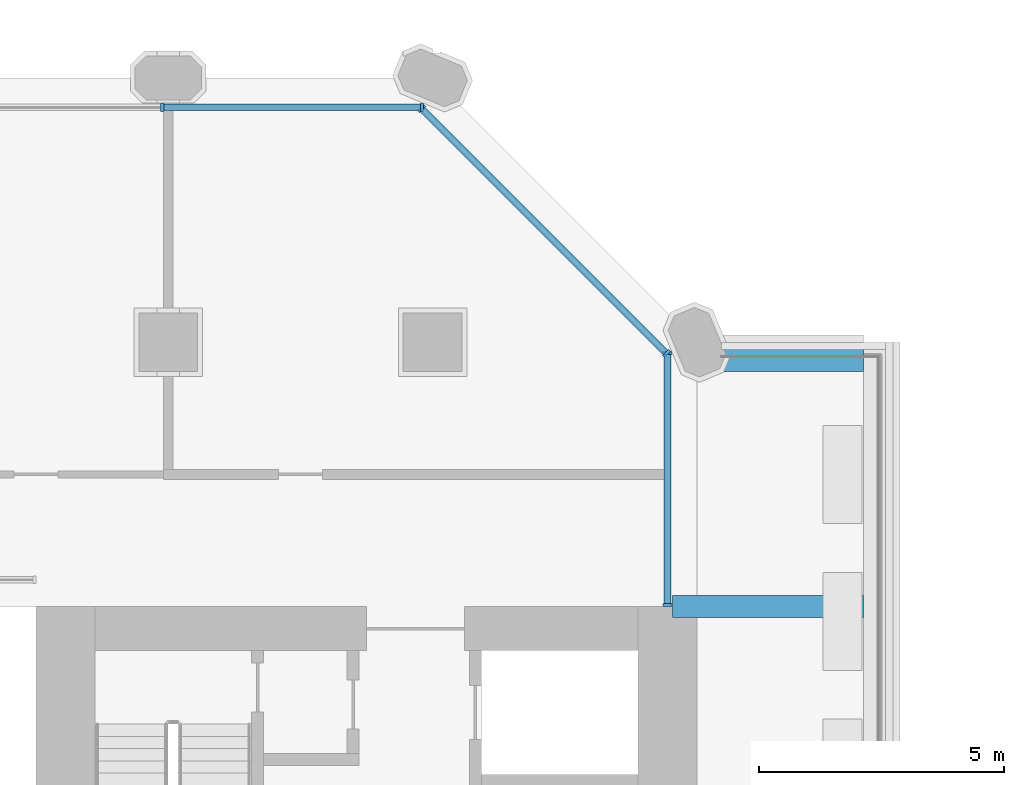
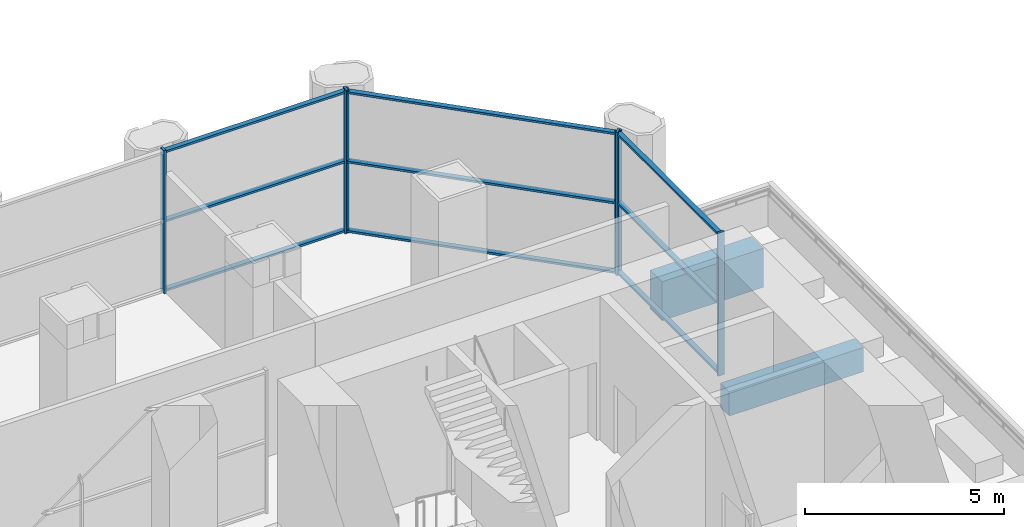
# One storey, part 9 of 42: 15 members, 2 beams, 3 elements without a shape of their own.
"""IFC4 building model written with IfcOpenShell, lengths in metres."""

from ifc_helpers import new_model, si_unit, direction, frame, origin, origin_2d, place, context, subcontext, project, spatial, rectangle, extrude, material, material_profile, profile_set, type_object, element, aggregate, save


model = new_model("IFC4")

# Units and contexts
model_context = context("Model", 3, precision=1e-05, world=origin(), true_north=direction((0.0, 1.0)))
body_context = subcontext(model_context, "Body", "Model", "MODEL_VIEW")
ifc_project = project(units=[si_unit("LENGTHUNIT", "METRE"), si_unit("AREAUNIT", "SQUARE_METRE"), si_unit("VOLUMEUNIT", "CUBIC_METRE"), si_unit("PLANEANGLEUNIT", "RADIAN"), si_unit("MASSUNIT", "GRAM", prefix="KILO")], contexts=[model_context])

# Site, building, storey
site_placement = place(None, origin())
site = spatial("IfcSite", under=ifc_project, at=site_placement, CompositionType="ELEMENT")
building_placement = place(site_placement, origin())
building = spatial("IfcBuilding", under=site, at=building_placement, Name="Tabaq Tower and Sports Hall", CompositionType="ELEMENT")
storey_placement = place(building_placement, frame((0.0, 0.0, 19.800048828125)))
storey = spatial("IfcBuildingStorey", under=building, at=storey_placement, Name="L03", CompositionType="ELEMENT", Elevation=19.800048828125)

# Curtain wall, members
ifc_material_1 = material(Name="Aluminium alloy 6063-T6 framed glazing", Category="aluminium")
curtain_wall_type = type_object("IfcCurtainWallType", Name="CW7 curtain wall", PredefinedType="USERDEFINED", material=ifc_material_1)
curtain_wall_1_placement = place(storey_placement, origin())
curtain_wall_1 = element("IfcCurtainWall", 1, at=curtain_wall_1_placement, inside=storey, type_object=curtain_wall_type, Name="Podium Wall L03 E", ObjectType="PODIUM WALL", PredefinedType="USERDEFINED")
ifc_material_2 = material(Name="Aluminium alloy 6063-T6", Category="aluminium")
ifc_material_profile_1 = material_profile(ifc_material_2, rectangle(XDim=0.179931640625, YDim=0.06494140625, at=origin_2d()), Name="MULLION 180x65")
ifc_profile_set_1 = profile_set([ifc_material_profile_1], Name="Aluminium alloy 6063-T6")
member_type_1 = type_object("IfcMemberType", Name="CW7 mullion 180x65", PredefinedType="MULLION", material=ifc_profile_set_1)
member_1_placement = place(storey_placement, frame((42.60009765625, 32.4326171875, 0.0), z_axis=(0.0, 0.0, 1.0), x_axis=(-1.0, 0.0, 0.0)))
member_1 = element("IfcMember", 2, at=member_1_placement, type_object=member_type_1, Name="CW7 mullion 1", PredefinedType="MULLION", context=body_context, shape_type="SweptSolid", body=[
    extrude(rectangle(XDim=0.179931640625, YDim=0.06494140625, at=origin_2d()), origin(), (0.0, 0.0, 1.0), 4.39990234375),
])
member_2_placement = place(storey_placement, frame((42.60009765625, 37.5810546875, 0.0), z_axis=(0.0, 0.0, 1.0), x_axis=(-1.0, 0.0, 0.0)))
member_2 = element("IfcMember", 3, at=member_2_placement, type_object=member_type_1, Name="CW7 mullion 2", PredefinedType="MULLION", context=body_context, shape_type="SweptSolid", body=[
    extrude(rectangle(XDim=0.179931640625, YDim=0.06494140625, at=origin_2d()), origin(), (0.0, 0.0, 1.0), 4.39990234375),
])

curtain_wall_2_placement = place(storey_placement, origin())
curtain_wall_2 = element("IfcCurtainWall", 4, at=curtain_wall_2_placement, inside=storey, type_object=curtain_wall_type, Name="Podium Wall L03 NE", ObjectType="PODIUM WALL", PredefinedType="USERDEFINED")
member_3_placement = place(storey_placement, frame((42.576904296875, 37.574462890625, 0.0), z_axis=(0.0, 0.0, 1.0), x_axis=(-0.707106781187, -0.707106781187, 0.0)))
member_3 = element("IfcMember", 5, at=member_3_placement, type_object=member_type_1, Name="CW7 mullion 1", PredefinedType="MULLION", context=body_context, shape_type="SweptSolid", body=[
    extrude(rectangle(XDim=0.179931640625, YDim=0.06494140625, at=origin_2d()), origin(), (0.0, 0.0, 1.0), 4.39990234375),
])
member_4_placement = place(storey_placement, frame((37.574462890625, 42.576904296875, 0.0), z_axis=(0.0, 0.0, 1.0), x_axis=(-0.707106781187, -0.707106781187, 0.0)))
member_4 = element("IfcMember", 6, at=member_4_placement, type_object=member_type_1, Name="CW7 mullion 2", PredefinedType="MULLION", context=body_context, shape_type="SweptSolid", body=[
    extrude(rectangle(XDim=0.179931640625, YDim=0.06494140625, at=origin_2d()), origin(), (0.0, 0.0, 1.0), 4.39990234375),
])

curtain_wall_3_placement = place(storey_placement, origin())
curtain_wall_3 = element("IfcCurtainWall", 7, at=curtain_wall_3_placement, inside=storey, type_object=curtain_wall_type, Name="Podium Wall L03 N", ObjectType="PODIUM WALL", PredefinedType="USERDEFINED")
member_5_placement = place(storey_placement, frame((37.5810546875, 42.60009765625, 0.0), z_axis=(0.0, 0.0, 1.0), x_axis=(0.0, -1.0, 0.0)))
member_5 = element("IfcMember", 8, at=member_5_placement, type_object=member_type_1, Name="CW7 mullion 1", PredefinedType="MULLION", context=body_context, shape_type="SweptSolid", body=[
    extrude(rectangle(XDim=0.179931640625, YDim=0.06494140625, at=origin_2d()), origin(), (0.0, 0.0, 1.0), 4.39990234375),
])
member_6_placement = place(storey_placement, frame((32.275634765625, 42.60009765625, 0.0), z_axis=(0.0, 0.0, 1.0), x_axis=(0.0, -1.0, 0.0)))
member_6 = element("IfcMember", 9, at=member_6_placement, type_object=member_type_1, Name="CW7 mullion 2", PredefinedType="MULLION", context=body_context, shape_type="SweptSolid", body=[
    extrude(rectangle(XDim=0.179931640625, YDim=0.06494140625, at=origin_2d()), origin(), (0.0, 0.0, 1.0), 4.39990234375),
])

# Member
ifc_material_3 = material(Name="Aluminium alloy 6063-T6", Category="aluminium")
ifc_material_profile_2 = material_profile(ifc_material_3, rectangle(XDim=0.139892578125, YDim=0.06494140625, at=origin_2d()), Name="TRANSOM 140x65")
ifc_profile_set_2 = profile_set([ifc_material_profile_2], Name="Aluminium alloy 6063-T6")
member_type_2 = type_object("IfcMemberType", Name="CW7 transom 140x65", PredefinedType="USERDEFINED", material=ifc_profile_set_2)
member_7_placement = place(storey_placement, frame((42.60009765625, 32.465087890625, 0.070068359375), z_axis=(0.0, 1.0, 0.0), x_axis=(-1.0, 0.0, 0.0)))
member_7 = element("IfcMember", 10, at=member_7_placement, type_object=member_type_2, Name="CW7 transom 1.1", ObjectType="TRANSOM", PredefinedType="USERDEFINED", context=body_context, shape_type="SweptSolid", body=[
    extrude(rectangle(XDim=0.139892578125, YDim=0.06494140625, at=origin_2d()), origin(), (0.0, 0.0, 1.0), 5.08349609375),
])

member_8_placement = place(storey_placement, frame((42.60009765625, 32.465087890625, 2.199951171875), z_axis=(0.0, 1.0, 0.0), x_axis=(-1.0, 0.0, 0.0)))
member_8 = element("IfcMember", 11, at=member_8_placement, type_object=member_type_2, Name="CW7 transom 1.2", ObjectType="TRANSOM", PredefinedType="USERDEFINED", context=body_context, shape_type="SweptSolid", body=[
    extrude(rectangle(XDim=0.139892578125, YDim=0.06494140625, at=origin_2d()), origin(), (0.0, 0.0, 1.0), 5.08349609375),
])

member_9_placement = place(storey_placement, frame((42.60009765625, 32.465087890625, 4.329833984375), z_axis=(0.0, 1.0, 0.0), x_axis=(-1.0, 0.0, 0.0)))
member_9 = element("IfcMember", 12, at=member_9_placement, type_object=member_type_2, Name="CW7 transom 1.3", ObjectType="TRANSOM", PredefinedType="USERDEFINED", context=body_context, shape_type="SweptSolid", body=[
    extrude(rectangle(XDim=0.139892578125, YDim=0.06494140625, at=origin_2d()), origin(), (0.0, 0.0, 1.0), 5.08349609375),
])

aggregate(curtain_wall_1, [member_1, member_2, member_7, member_8, member_9])

member_10_placement = place(storey_placement, frame((42.553955078125, 37.597412109375, 0.070068359375), z_axis=(-0.707106781187, 0.707106781187, 0.0), x_axis=(-0.707106781187, -0.707106781187, 0.0)))
member_10 = element("IfcMember", 13, at=member_10_placement, type_object=member_type_2, Name="CW7 transom 1.1", ObjectType="TRANSOM", PredefinedType="USERDEFINED", context=body_context, shape_type="SweptSolid", body=[
    extrude(rectangle(XDim=0.139892578125, YDim=0.06494140625, at=origin_2d()), origin(), (0.0, 0.0, 1.0), 7.009521484375),
])

member_11_placement = place(storey_placement, frame((42.553955078125, 37.597412109375, 2.199951171875), z_axis=(-0.707106781187, 0.707106781187, 0.0), x_axis=(-0.707106781187, -0.707106781187, 0.0)))
member_11 = element("IfcMember", 14, at=member_11_placement, type_object=member_type_2, Name="CW7 transom 1.2", ObjectType="TRANSOM", PredefinedType="USERDEFINED", context=body_context, shape_type="SweptSolid", body=[
    extrude(rectangle(XDim=0.139892578125, YDim=0.06494140625, at=origin_2d()), origin(), (0.0, 0.0, 1.0), 7.009521484375),
])

member_12_placement = place(storey_placement, frame((42.553955078125, 37.597412109375, 4.329833984375), z_axis=(-0.707106781187, 0.707106781187, 0.0), x_axis=(-0.707106781187, -0.707106781187, 0.0)))
member_12 = element("IfcMember", 15, at=member_12_placement, type_object=member_type_2, Name="CW7 transom 1.3", ObjectType="TRANSOM", PredefinedType="USERDEFINED", context=body_context, shape_type="SweptSolid", body=[
    extrude(rectangle(XDim=0.139892578125, YDim=0.06494140625, at=origin_2d()), origin(), (0.0, 0.0, 1.0), 7.009521484375),
])

aggregate(curtain_wall_2, [member_3, member_4, member_10, member_11, member_12])

member_13_placement = place(storey_placement, frame((37.548583984375, 42.60009765625, 0.070068359375), z_axis=(-1.0, 0.0, 0.0), x_axis=(0.0, -1.0, 0.0)))
member_13 = element("IfcMember", 16, at=member_13_placement, type_object=member_type_2, Name="CW7 transom 1.1", ObjectType="TRANSOM", PredefinedType="USERDEFINED", context=body_context, shape_type="SweptSolid", body=[
    extrude(rectangle(XDim=0.139892578125, YDim=0.06494140625, at=origin_2d()), origin(), (0.0, 0.0, 1.0), 5.240234375),
])

member_14_placement = place(storey_placement, frame((37.548583984375, 42.60009765625, 2.199951171875), z_axis=(-1.0, 0.0, 0.0), x_axis=(0.0, -1.0, 0.0)))
member_14 = element("IfcMember", 17, at=member_14_placement, type_object=member_type_2, Name="CW7 transom 1.2", ObjectType="TRANSOM", PredefinedType="USERDEFINED", context=body_context, shape_type="SweptSolid", body=[
    extrude(rectangle(XDim=0.139892578125, YDim=0.06494140625, at=origin_2d()), origin(), (0.0, 0.0, 1.0), 5.240234375),
])

member_15_placement = place(storey_placement, frame((37.548583984375, 42.60009765625, 4.329833984375), z_axis=(-1.0, 0.0, 0.0), x_axis=(0.0, -1.0, 0.0)))
member_15 = element("IfcMember", 18, at=member_15_placement, type_object=member_type_2, Name="CW7 transom 1.3", ObjectType="TRANSOM", PredefinedType="USERDEFINED", context=body_context, shape_type="SweptSolid", body=[
    extrude(rectangle(XDim=0.139892578125, YDim=0.06494140625, at=origin_2d()), origin(), (0.0, 0.0, 1.0), 5.240234375),
])

aggregate(curtain_wall_3, [member_5, member_6, member_13, member_14, member_15])

# Beams
ifc_material_4 = material(Name="Concrete C40/50", Category="concrete")
ifc_material_profile_3 = material_profile(ifc_material_4, rectangle(XDim=0.60009765625, YDim=1.199951171875, at=origin_2d()), Name="EBT 600x1200")
ifc_profile_set_3 = profile_set([ifc_material_profile_3], Name="Concrete C40/50")
beam_type_1 = type_object("IfcBeamType", Name="Concrete C40/50 PT edge band EBT 600x1200", PredefinedType="BEAM", material=ifc_profile_set_3)
beam_1_placement = place(storey_placement, frame((43.64990234375, 37.5, -1.0), z_axis=(1.0, 0.0, 0.0), x_axis=(0.0, 1.0, 0.0)))
element("IfcBeam", 19, at=beam_1_placement, inside=storey, type_object=beam_type_1, Name="Tray edge band L03", PredefinedType="BEAM", context=body_context, shape_type="SweptSolid", body=[
    extrude(rectangle(XDim=0.60009765625, YDim=1.199951171875, at=origin_2d()), origin(), (0.0, 0.0, 1.0), 2.9501953125),
])
ifc_material_5 = material(Name="Concrete C40/50", Category="concrete")
ifc_material_profile_4 = material_profile(ifc_material_5, rectangle(XDim=0.449951171875, YDim=0.75, at=origin_2d()), Name="CB 450x750")
ifc_profile_set_4 = profile_set([ifc_material_profile_4], Name="Concrete C40/50")
beam_type_2 = type_object("IfcBeamType", Name="PT CANTILEVER BEAM CB 450x750 C40/50", PredefinedType="BEAM", material=ifc_profile_set_4)
beam_2_placement = place(storey_placement, frame((46.60009765625, 32.39990234375, -0.775146484375), z_axis=(-1.0, 0.0, 0.0), x_axis=(0.0, -1.0, 0.0)))
element("IfcBeam", 20, at=beam_2_placement, inside=storey, type_object=beam_type_2, Name="Tray Cantilever Beam L03 T5 span 1", PredefinedType="BEAM", context=body_context, shape_type="SweptSolid", body=[
    extrude(rectangle(XDim=0.449951171875, YDim=0.75, at=origin_2d()), origin(), (0.0, 0.0, 1.0), 3.900146484375),
])

save(model, "model.ifc")
